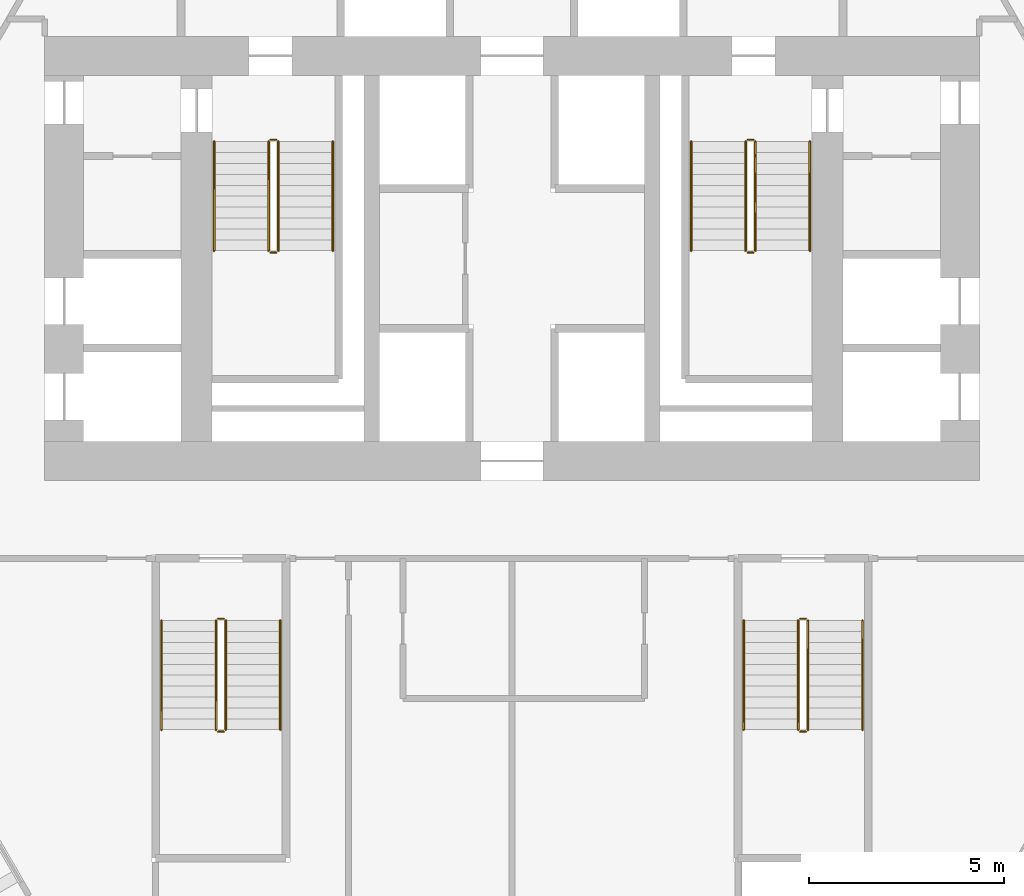
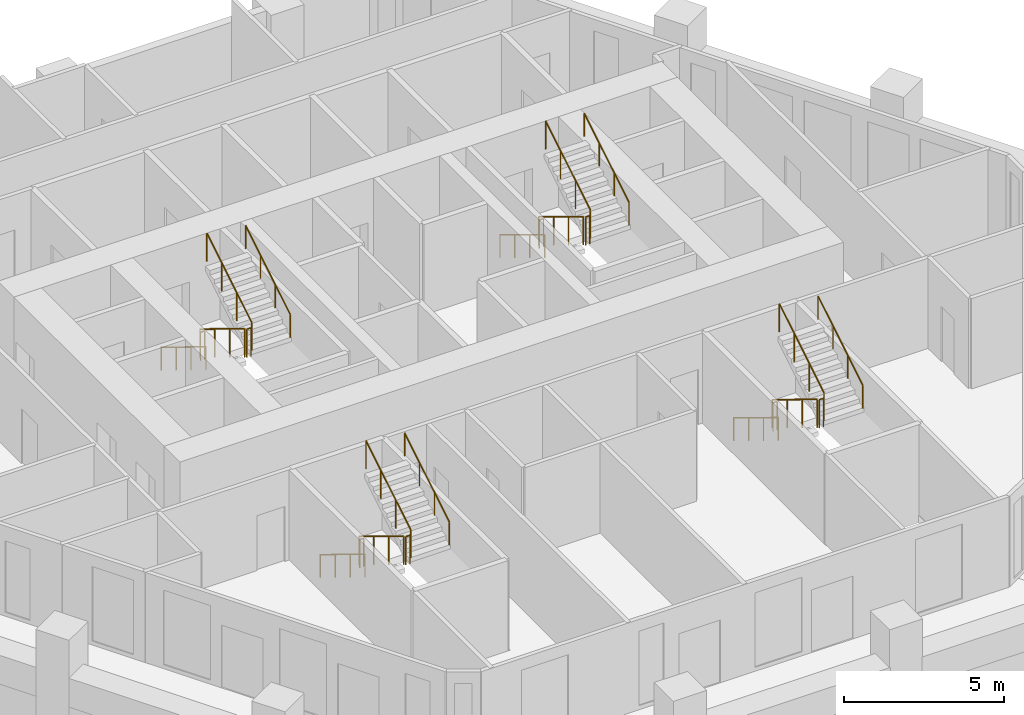
# One storey, part 7 of 7: 24 railings.
"""IFC4 building model written with IfcOpenShell, lengths in metres."""

from ifc_helpers import new_model, si_unit, direction, frame, origin, origin_2d, place, context, subcontext, project, spatial, circle, extrude, material, type_object, element, save


model = new_model("IFC4")

# Units and contexts
model_context = context("Model", 3, precision=1e-05, world=origin(), true_north=direction((0.0, 1.0)))
body_context = subcontext(model_context, "Body", "Model", "MODEL_VIEW")
ifc_project = project(units=[si_unit("LENGTHUNIT", "METRE"), si_unit("AREAUNIT", "SQUARE_METRE"), si_unit("VOLUMEUNIT", "CUBIC_METRE"), si_unit("PLANEANGLEUNIT", "RADIAN"), si_unit("MASSUNIT", "GRAM", prefix="KILO")], contexts=[model_context])

# Site, building, storey
site_placement = place(None, origin())
site = spatial("IfcSite", under=ifc_project, at=site_placement, CompositionType="ELEMENT")
building_placement = place(site_placement, origin())
building = spatial("IfcBuilding", under=site, at=building_placement, Name="Ostrander Bayou Hotel Tower", CompositionType="ELEMENT")
storey_placement = place(building_placement, frame((0.0, 0.0, 123.5)))
storey = spatial("IfcBuildingStorey", under=building, at=storey_placement, Name="L30", CompositionType="ELEMENT", Elevation=123.5)

# Railings
ifc_material_1 = material(Name="Steel ASTM A500 Gr C", Category="steel")
railing_type_1 = type_object("IfcRailingType", Name="GR1 stair guard 1100 mm steel", PredefinedType="GUARDRAIL", material=ifc_material_1)
railing_1_placement = place(storey_placement, frame((-6.25, 7.0, 0.17041015625)))
element("IfcRailing", 1, at=railing_1_placement, inside=storey, type_object=railing_type_1, Name="L30 STA stair guard 1", PredefinedType="GUARDRAIL", context=body_context, shape_type="SweptSolid", body=[
    extrude(circle(Radius=0.02392578125, at=origin_2d()), frame((0.0, 0.0, 1.076171875), z_axis=(0.0, -0.854169791009, 0.51999420009), x_axis=(1.0, 0.0, 0.0)), (0.0, 0.0, 1.0), 3.278076171875),
    extrude(circle(Radius=0.02099609375, at=origin_2d()), origin(), (0.0, 0.0, 1.0), 1.052001953125),
    extrude(circle(Radius=0.02099609375, at=origin_2d()), frame((0.0, -0.933349609375, 0.568115234375)), (0.0, 0.0, 1.0), 1.052001953125),
    extrude(circle(Radius=0.02099609375, at=origin_2d()), frame((0.0, -1.86669921875, 1.136474609375)), (0.0, 0.0, 1.0), 1.052001953125),
    extrude(circle(Radius=0.02099609375, at=origin_2d()), frame((0.0, -2.800048828125, 1.70458984375)), (0.0, 0.0, 1.0), 1.052001953125),
])
railing_2_placement = place(storey_placement, frame((-6.199951171875, 4.14990234375, 1.875)))
element("IfcRailing", 2, at=railing_2_placement, inside=storey, type_object=railing_type_1, Name="L30 STA stair guard 2", PredefinedType="GUARDRAIL", context=body_context, shape_type="SweptSolid", body=[
    extrude(circle(Radius=0.02392578125, at=origin_2d()), frame((0.0, 0.0, 1.076171875), z_axis=(1.0, 0.0, 0.0), x_axis=(0.0, 1.0, 0.0)), (0.0, 0.0, 1.0), 0.14990234375),
    extrude(circle(Radius=0.02099609375, at=origin_2d()), origin(), (0.0, 0.0, 1.0), 1.052001953125),
    extrude(circle(Radius=0.02099609375, at=origin_2d()), frame((0.14990234375, 0.0, 0.0)), (0.0, 0.0, 1.0), 1.052001953125),
])
railing_3_placement = place(storey_placement, frame((-6.0, 4.199951171875, 2.04541015625)))
element("IfcRailing", 3, at=railing_3_placement, inside=storey, type_object=railing_type_1, Name="L30 STA stair guard 3", PredefinedType="GUARDRAIL", context=body_context, shape_type="SweptSolid", body=[
    extrude(circle(Radius=0.02392578125, at=origin_2d()), frame((0.0, 0.0, 1.076171875), z_axis=(0.0, 0.854169791009, 0.51999420009), x_axis=(-1.0, 0.0, 0.0)), (0.0, 0.0, 1.0), 3.278076171875),
    extrude(circle(Radius=0.02099609375, at=origin_2d()), origin(), (0.0, 0.0, 1.0), 1.052001953125),
    extrude(circle(Radius=0.02099609375, at=origin_2d()), frame((0.0, 0.933349609375, 0.568115234375)), (0.0, 0.0, 1.0), 1.052001953125),
    extrude(circle(Radius=0.02099609375, at=origin_2d()), frame((0.0, 1.86669921875, 1.136474609375)), (0.0, 0.0, 1.0), 1.052001953125),
    extrude(circle(Radius=0.02099609375, at=origin_2d()), frame((0.0, 2.800048828125, 1.70458984375)), (0.0, 0.0, 1.0), 1.052001953125),
])
railing_4_placement = place(storey_placement, frame((-6.199951171875, 7.050048828125, 0.0)))
element("IfcRailing", 4, at=railing_4_placement, inside=storey, type_object=railing_type_1, Name="L30 STA stair guard 4", PredefinedType="GUARDRAIL", context=body_context, shape_type="SweptSolid", body=[
    extrude(circle(Radius=0.02392578125, at=origin_2d()), frame((0.0, 0.0, 1.076171875), z_axis=(1.0, 0.0, 0.0), x_axis=(0.0, 1.0, 0.0)), (0.0, 0.0, 1.0), 0.14990234375),
    extrude(circle(Radius=0.02099609375, at=origin_2d()), origin(), (0.0, 0.0, 1.0), 1.052001953125),
    extrude(circle(Radius=0.02099609375, at=origin_2d()), frame((0.14990234375, 0.0, 0.0)), (0.0, 0.0, 1.0), 1.052001953125),
])
railing_5_placement = place(storey_placement, frame((6.0, 7.0, 0.17041015625)))
element("IfcRailing", 5, at=railing_5_placement, inside=storey, type_object=railing_type_1, Name="L30 STB stair guard 1", PredefinedType="GUARDRAIL", context=body_context, shape_type="SweptSolid", body=[
    extrude(circle(Radius=0.02392578125, at=origin_2d()), frame((0.0, 0.0, 1.076171875), z_axis=(0.0, -0.854169791009, 0.51999420009), x_axis=(1.0, 0.0, 0.0)), (0.0, 0.0, 1.0), 3.278076171875),
    extrude(circle(Radius=0.02099609375, at=origin_2d()), origin(), (0.0, 0.0, 1.0), 1.052001953125),
    extrude(circle(Radius=0.02099609375, at=origin_2d()), frame((0.0, -0.933349609375, 0.568115234375)), (0.0, 0.0, 1.0), 1.052001953125),
    extrude(circle(Radius=0.02099609375, at=origin_2d()), frame((0.0, -1.86669921875, 1.136474609375)), (0.0, 0.0, 1.0), 1.052001953125),
    extrude(circle(Radius=0.02099609375, at=origin_2d()), frame((0.0, -2.800048828125, 1.70458984375)), (0.0, 0.0, 1.0), 1.052001953125),
])
railing_6_placement = place(storey_placement, frame((6.050048828125, 4.14990234375, 1.875)))
element("IfcRailing", 6, at=railing_6_placement, inside=storey, type_object=railing_type_1, Name="L30 STB stair guard 2", PredefinedType="GUARDRAIL", context=body_context, shape_type="SweptSolid", body=[
    extrude(circle(Radius=0.02392578125, at=origin_2d()), frame((0.0, 0.0, 1.076171875), z_axis=(1.0, 0.0, 0.0), x_axis=(0.0, 1.0, 0.0)), (0.0, 0.0, 1.0), 0.14990234375),
    extrude(circle(Radius=0.02099609375, at=origin_2d()), origin(), (0.0, 0.0, 1.0), 1.052001953125),
    extrude(circle(Radius=0.02099609375, at=origin_2d()), frame((0.14990234375, 0.0, 0.0)), (0.0, 0.0, 1.0), 1.052001953125),
])
railing_7_placement = place(storey_placement, frame((6.25, 4.199951171875, 2.04541015625)))
element("IfcRailing", 7, at=railing_7_placement, inside=storey, type_object=railing_type_1, Name="L30 STB stair guard 3", PredefinedType="GUARDRAIL", context=body_context, shape_type="SweptSolid", body=[
    extrude(circle(Radius=0.02392578125, at=origin_2d()), frame((0.0, 0.0, 1.076171875), z_axis=(0.0, 0.854169791009, 0.51999420009), x_axis=(-1.0, 0.0, 0.0)), (0.0, 0.0, 1.0), 3.278076171875),
    extrude(circle(Radius=0.02099609375, at=origin_2d()), origin(), (0.0, 0.0, 1.0), 1.052001953125),
    extrude(circle(Radius=0.02099609375, at=origin_2d()), frame((0.0, 0.933349609375, 0.568115234375)), (0.0, 0.0, 1.0), 1.052001953125),
    extrude(circle(Radius=0.02099609375, at=origin_2d()), frame((0.0, 1.86669921875, 1.136474609375)), (0.0, 0.0, 1.0), 1.052001953125),
    extrude(circle(Radius=0.02099609375, at=origin_2d()), frame((0.0, 2.800048828125, 1.70458984375)), (0.0, 0.0, 1.0), 1.052001953125),
])
railing_8_placement = place(storey_placement, frame((6.050048828125, 7.050048828125, 0.0)))
element("IfcRailing", 8, at=railing_8_placement, inside=storey, type_object=railing_type_1, Name="L30 STB stair guard 4", PredefinedType="GUARDRAIL", context=body_context, shape_type="SweptSolid", body=[
    extrude(circle(Radius=0.02392578125, at=origin_2d()), frame((0.0, 0.0, 1.076171875), z_axis=(1.0, 0.0, 0.0), x_axis=(0.0, 1.0, 0.0)), (0.0, 0.0, 1.0), 0.14990234375),
    extrude(circle(Radius=0.02099609375, at=origin_2d()), origin(), (0.0, 0.0, 1.0), 1.052001953125),
    extrude(circle(Radius=0.02099609375, at=origin_2d()), frame((0.14990234375, 0.0, 0.0)), (0.0, 0.0, 1.0), 1.052001953125),
])
railing_9_placement = place(storey_placement, frame((7.35009765625, -5.300048828125, 0.17041015625)))
element("IfcRailing", 9, at=railing_9_placement, inside=storey, type_object=railing_type_1, Name="L30 STC stair guard 1", PredefinedType="GUARDRAIL", context=body_context, shape_type="SweptSolid", body=[
    extrude(circle(Radius=0.02392578125, at=origin_2d()), frame((0.0, 0.0, 1.076171875), z_axis=(0.0, -0.854169791009, 0.51999420009), x_axis=(1.0, 0.0, 0.0)), (0.0, 0.0, 1.0), 3.278076171875),
    extrude(circle(Radius=0.02099609375, at=origin_2d()), origin(), (0.0, 0.0, 1.0), 1.052001953125),
    extrude(circle(Radius=0.02099609375, at=origin_2d()), frame((0.0, -0.933349609375, 0.568115234375)), (0.0, 0.0, 1.0), 1.052001953125),
    extrude(circle(Radius=0.02099609375, at=origin_2d()), frame((0.0, -1.86669921875, 1.136474609375)), (0.0, 0.0, 1.0), 1.052001953125),
    extrude(circle(Radius=0.02099609375, at=origin_2d()), frame((0.0, -2.800048828125, 1.70458984375)), (0.0, 0.0, 1.0), 1.052001953125),
])
railing_10_placement = place(storey_placement, frame((7.39990234375, -8.14990234375, 1.875)))
element("IfcRailing", 10, at=railing_10_placement, inside=storey, type_object=railing_type_1, Name="L30 STC stair guard 2", PredefinedType="GUARDRAIL", context=body_context, shape_type="SweptSolid", body=[
    extrude(circle(Radius=0.02392578125, at=origin_2d()), frame((0.0, 0.0, 1.076171875), z_axis=(1.0, 0.0, 0.0), x_axis=(0.0, 1.0, 0.0)), (0.0, 0.0, 1.0), 0.150146484375),
    extrude(circle(Radius=0.02099609375, at=origin_2d()), origin(), (0.0, 0.0, 1.0), 1.052001953125),
    extrude(circle(Radius=0.02099609375, at=origin_2d()), frame((0.150146484375, 0.0, 0.0)), (0.0, 0.0, 1.0), 1.052001953125),
])
railing_11_placement = place(storey_placement, frame((7.60009765625, -8.10009765625, 2.04541015625)))
element("IfcRailing", 11, at=railing_11_placement, inside=storey, type_object=railing_type_1, Name="L30 STC stair guard 3", PredefinedType="GUARDRAIL", context=body_context, shape_type="SweptSolid", body=[
    extrude(circle(Radius=0.02392578125, at=origin_2d()), frame((0.0, 0.0, 1.076171875), z_axis=(0.0, 0.854169791009, 0.51999420009), x_axis=(-1.0, 0.0, 0.0)), (0.0, 0.0, 1.0), 3.278076171875),
    extrude(circle(Radius=0.02099609375, at=origin_2d()), origin(), (0.0, 0.0, 1.0), 1.052001953125),
    extrude(circle(Radius=0.02099609375, at=origin_2d()), frame((0.0, 0.933349609375, 0.568115234375)), (0.0, 0.0, 1.0), 1.052001953125),
    extrude(circle(Radius=0.02099609375, at=origin_2d()), frame((0.0, 1.86669921875, 1.136474609375)), (0.0, 0.0, 1.0), 1.052001953125),
    extrude(circle(Radius=0.02099609375, at=origin_2d()), frame((0.0, 2.800048828125, 1.70458984375)), (0.0, 0.0, 1.0), 1.052001953125),
])
railing_12_placement = place(storey_placement, frame((7.39990234375, -5.25, 0.0)))
element("IfcRailing", 12, at=railing_12_placement, inside=storey, type_object=railing_type_1, Name="L30 STC stair guard 4", PredefinedType="GUARDRAIL", context=body_context, shape_type="SweptSolid", body=[
    extrude(circle(Radius=0.02392578125, at=origin_2d()), frame((0.0, 0.0, 1.076171875), z_axis=(1.0, 0.0, 0.0), x_axis=(0.0, 1.0, 0.0)), (0.0, 0.0, 1.0), 0.150146484375),
    extrude(circle(Radius=0.02099609375, at=origin_2d()), origin(), (0.0, 0.0, 1.0), 1.052001953125),
    extrude(circle(Radius=0.02099609375, at=origin_2d()), frame((0.150146484375, 0.0, 0.0)), (0.0, 0.0, 1.0), 1.052001953125),
])
railing_13_placement = place(storey_placement, frame((-7.60009765625, -5.300048828125, 0.17041015625)))
element("IfcRailing", 13, at=railing_13_placement, inside=storey, type_object=railing_type_1, Name="L30 STD stair guard 1", PredefinedType="GUARDRAIL", context=body_context, shape_type="SweptSolid", body=[
    extrude(circle(Radius=0.02392578125, at=origin_2d()), frame((0.0, 0.0, 1.076171875), z_axis=(0.0, -0.854169791009, 0.51999420009), x_axis=(1.0, 0.0, 0.0)), (0.0, 0.0, 1.0), 3.278076171875),
    extrude(circle(Radius=0.02099609375, at=origin_2d()), origin(), (0.0, 0.0, 1.0), 1.052001953125),
    extrude(circle(Radius=0.02099609375, at=origin_2d()), frame((0.0, -0.933349609375, 0.568115234375)), (0.0, 0.0, 1.0), 1.052001953125),
    extrude(circle(Radius=0.02099609375, at=origin_2d()), frame((0.0, -1.86669921875, 1.136474609375)), (0.0, 0.0, 1.0), 1.052001953125),
    extrude(circle(Radius=0.02099609375, at=origin_2d()), frame((0.0, -2.800048828125, 1.70458984375)), (0.0, 0.0, 1.0), 1.052001953125),
])
railing_14_placement = place(storey_placement, frame((-7.550048828125, -8.14990234375, 1.875)))
element("IfcRailing", 14, at=railing_14_placement, inside=storey, type_object=railing_type_1, Name="L30 STD stair guard 2", PredefinedType="GUARDRAIL", context=body_context, shape_type="SweptSolid", body=[
    extrude(circle(Radius=0.02392578125, at=origin_2d()), frame((0.0, 0.0, 1.076171875), z_axis=(1.0, 0.0, 0.0), x_axis=(0.0, 1.0, 0.0)), (0.0, 0.0, 1.0), 0.150146484375),
    extrude(circle(Radius=0.02099609375, at=origin_2d()), origin(), (0.0, 0.0, 1.0), 1.052001953125),
    extrude(circle(Radius=0.02099609375, at=origin_2d()), frame((0.150146484375, 0.0, 0.0)), (0.0, 0.0, 1.0), 1.052001953125),
])
railing_15_placement = place(storey_placement, frame((-7.35009765625, -8.10009765625, 2.04541015625)))
element("IfcRailing", 15, at=railing_15_placement, inside=storey, type_object=railing_type_1, Name="L30 STD stair guard 3", PredefinedType="GUARDRAIL", context=body_context, shape_type="SweptSolid", body=[
    extrude(circle(Radius=0.02392578125, at=origin_2d()), frame((0.0, 0.0, 1.076171875), z_axis=(0.0, 0.854169791009, 0.51999420009), x_axis=(-1.0, 0.0, 0.0)), (0.0, 0.0, 1.0), 3.278076171875),
    extrude(circle(Radius=0.02099609375, at=origin_2d()), origin(), (0.0, 0.0, 1.0), 1.052001953125),
    extrude(circle(Radius=0.02099609375, at=origin_2d()), frame((0.0, 0.933349609375, 0.568115234375)), (0.0, 0.0, 1.0), 1.052001953125),
    extrude(circle(Radius=0.02099609375, at=origin_2d()), frame((0.0, 1.86669921875, 1.136474609375)), (0.0, 0.0, 1.0), 1.052001953125),
    extrude(circle(Radius=0.02099609375, at=origin_2d()), frame((0.0, 2.800048828125, 1.70458984375)), (0.0, 0.0, 1.0), 1.052001953125),
])
railing_16_placement = place(storey_placement, frame((-7.550048828125, -5.25, 0.0)))
element("IfcRailing", 16, at=railing_16_placement, inside=storey, type_object=railing_type_1, Name="L30 STD stair guard 4", PredefinedType="GUARDRAIL", context=body_context, shape_type="SweptSolid", body=[
    extrude(circle(Radius=0.02392578125, at=origin_2d()), frame((0.0, 0.0, 1.076171875), z_axis=(1.0, 0.0, 0.0), x_axis=(0.0, 1.0, 0.0)), (0.0, 0.0, 1.0), 0.150146484375),
    extrude(circle(Radius=0.02099609375, at=origin_2d()), origin(), (0.0, 0.0, 1.0), 1.052001953125),
    extrude(circle(Radius=0.02099609375, at=origin_2d()), frame((0.150146484375, 0.0, 0.0)), (0.0, 0.0, 1.0), 1.052001953125),
])
ifc_material_2 = material(Name="Steel ASTM A500 Gr C", Category="steel")
railing_type_2 = type_object("IfcRailingType", Name="HR1 stair handrail 900 mm steel", PredefinedType="HANDRAIL", material=ifc_material_2)
railing_17_placement = place(storey_placement, frame((-7.64990234375, 7.0, 0.17041015625)))
element("IfcRailing", 17, at=railing_17_placement, inside=storey, type_object=railing_type_2, Name="L30 STA stair handrail 1", PredefinedType="HANDRAIL", context=body_context, shape_type="SweptSolid", body=[
    extrude(circle(Radius=0.02392578125, at=origin_2d()), frame((0.0, 0.0, 0.8759765625), z_axis=(0.0, -0.854169791009, 0.51999420009), x_axis=(1.0, 0.0, 0.0)), (0.0, 0.0, 1.0), 3.278076171875),
    extrude(circle(Radius=0.02099609375, at=origin_2d()), origin(), (0.0, 0.0, 1.0), 0.851806640625),
    extrude(circle(Radius=0.02099609375, at=origin_2d()), frame((0.0, -0.933349609375, 0.568115234375)), (0.0, 0.0, 1.0), 0.851806640625),
    extrude(circle(Radius=0.02099609375, at=origin_2d()), frame((0.0, -1.86669921875, 1.136474609375)), (0.0, 0.0, 1.0), 0.851806640625),
    extrude(circle(Radius=0.02099609375, at=origin_2d()), frame((0.0, -2.800048828125, 1.70458984375)), (0.0, 0.0, 1.0), 0.851806640625),
])
railing_18_placement = place(storey_placement, frame((-4.60009765625, 4.199951171875, 2.04541015625)))
element("IfcRailing", 18, at=railing_18_placement, inside=storey, type_object=railing_type_2, Name="L30 STA stair handrail 2", PredefinedType="HANDRAIL", context=body_context, shape_type="SweptSolid", body=[
    extrude(circle(Radius=0.02392578125, at=origin_2d()), frame((0.0, 0.0, 0.8759765625), z_axis=(0.0, 0.854169791009, 0.51999420009), x_axis=(-1.0, 0.0, 0.0)), (0.0, 0.0, 1.0), 3.278076171875),
    extrude(circle(Radius=0.02099609375, at=origin_2d()), origin(), (0.0, 0.0, 1.0), 0.851806640625),
    extrude(circle(Radius=0.02099609375, at=origin_2d()), frame((0.0, 0.933349609375, 0.568115234375)), (0.0, 0.0, 1.0), 0.851806640625),
    extrude(circle(Radius=0.02099609375, at=origin_2d()), frame((0.0, 1.86669921875, 1.136474609375)), (0.0, 0.0, 1.0), 0.851806640625),
    extrude(circle(Radius=0.02099609375, at=origin_2d()), frame((0.0, 2.800048828125, 1.70458984375)), (0.0, 0.0, 1.0), 0.851806640625),
])
railing_19_placement = place(storey_placement, frame((4.60009765625, 7.0, 0.17041015625)))
element("IfcRailing", 19, at=railing_19_placement, inside=storey, type_object=railing_type_2, Name="L30 STB stair handrail 1", PredefinedType="HANDRAIL", context=body_context, shape_type="SweptSolid", body=[
    extrude(circle(Radius=0.02392578125, at=origin_2d()), frame((0.0, 0.0, 0.8759765625), z_axis=(0.0, -0.854169791009, 0.51999420009), x_axis=(1.0, 0.0, 0.0)), (0.0, 0.0, 1.0), 3.278076171875),
    extrude(circle(Radius=0.02099609375, at=origin_2d()), origin(), (0.0, 0.0, 1.0), 0.851806640625),
    extrude(circle(Radius=0.02099609375, at=origin_2d()), frame((0.0, -0.933349609375, 0.568115234375)), (0.0, 0.0, 1.0), 0.851806640625),
    extrude(circle(Radius=0.02099609375, at=origin_2d()), frame((0.0, -1.86669921875, 1.136474609375)), (0.0, 0.0, 1.0), 0.851806640625),
    extrude(circle(Radius=0.02099609375, at=origin_2d()), frame((0.0, -2.800048828125, 1.70458984375)), (0.0, 0.0, 1.0), 0.851806640625),
])
railing_20_placement = place(storey_placement, frame((7.64990234375, 4.199951171875, 2.04541015625)))
element("IfcRailing", 20, at=railing_20_placement, inside=storey, type_object=railing_type_2, Name="L30 STB stair handrail 2", PredefinedType="HANDRAIL", context=body_context, shape_type="SweptSolid", body=[
    extrude(circle(Radius=0.02392578125, at=origin_2d()), frame((0.0, 0.0, 0.8759765625), z_axis=(0.0, 0.854169791009, 0.51999420009), x_axis=(-1.0, 0.0, 0.0)), (0.0, 0.0, 1.0), 3.278076171875),
    extrude(circle(Radius=0.02099609375, at=origin_2d()), origin(), (0.0, 0.0, 1.0), 0.851806640625),
    extrude(circle(Radius=0.02099609375, at=origin_2d()), frame((0.0, 0.933349609375, 0.568115234375)), (0.0, 0.0, 1.0), 0.851806640625),
    extrude(circle(Radius=0.02099609375, at=origin_2d()), frame((0.0, 1.86669921875, 1.136474609375)), (0.0, 0.0, 1.0), 0.851806640625),
    extrude(circle(Radius=0.02099609375, at=origin_2d()), frame((0.0, 2.800048828125, 1.70458984375)), (0.0, 0.0, 1.0), 0.851806640625),
])
railing_21_placement = place(storey_placement, frame((5.949951171875, -5.300048828125, 0.17041015625)))
element("IfcRailing", 21, at=railing_21_placement, inside=storey, type_object=railing_type_2, Name="L30 STC stair handrail 1", PredefinedType="HANDRAIL", context=body_context, shape_type="SweptSolid", body=[
    extrude(circle(Radius=0.02392578125, at=origin_2d()), frame((0.0, 0.0, 0.8759765625), z_axis=(0.0, -0.854169791009, 0.51999420009), x_axis=(1.0, 0.0, 0.0)), (0.0, 0.0, 1.0), 3.278076171875),
    extrude(circle(Radius=0.02099609375, at=origin_2d()), origin(), (0.0, 0.0, 1.0), 0.851806640625),
    extrude(circle(Radius=0.02099609375, at=origin_2d()), frame((0.0, -0.933349609375, 0.568115234375)), (0.0, 0.0, 1.0), 0.851806640625),
    extrude(circle(Radius=0.02099609375, at=origin_2d()), frame((0.0, -1.86669921875, 1.136474609375)), (0.0, 0.0, 1.0), 0.851806640625),
    extrude(circle(Radius=0.02099609375, at=origin_2d()), frame((0.0, -2.800048828125, 1.70458984375)), (0.0, 0.0, 1.0), 0.851806640625),
])
railing_22_placement = place(storey_placement, frame((9.0, -8.10009765625, 2.04541015625)))
element("IfcRailing", 22, at=railing_22_placement, inside=storey, type_object=railing_type_2, Name="L30 STC stair handrail 2", PredefinedType="HANDRAIL", context=body_context, shape_type="SweptSolid", body=[
    extrude(circle(Radius=0.02392578125, at=origin_2d()), frame((0.0, 0.0, 0.8759765625), z_axis=(0.0, 0.854169791009, 0.51999420009), x_axis=(-1.0, 0.0, 0.0)), (0.0, 0.0, 1.0), 3.278076171875),
    extrude(circle(Radius=0.02099609375, at=origin_2d()), origin(), (0.0, 0.0, 1.0), 0.851806640625),
    extrude(circle(Radius=0.02099609375, at=origin_2d()), frame((0.0, 0.933349609375, 0.568115234375)), (0.0, 0.0, 1.0), 0.851806640625),
    extrude(circle(Radius=0.02099609375, at=origin_2d()), frame((0.0, 1.86669921875, 1.136474609375)), (0.0, 0.0, 1.0), 0.851806640625),
    extrude(circle(Radius=0.02099609375, at=origin_2d()), frame((0.0, 2.800048828125, 1.70458984375)), (0.0, 0.0, 1.0), 0.851806640625),
])
railing_23_placement = place(storey_placement, frame((-9.0, -5.300048828125, 0.17041015625)))
element("IfcRailing", 23, at=railing_23_placement, inside=storey, type_object=railing_type_2, Name="L30 STD stair handrail 1", PredefinedType="HANDRAIL", context=body_context, shape_type="SweptSolid", body=[
    extrude(circle(Radius=0.02392578125, at=origin_2d()), frame((0.0, 0.0, 0.8759765625), z_axis=(0.0, -0.854169791009, 0.51999420009), x_axis=(1.0, 0.0, 0.0)), (0.0, 0.0, 1.0), 3.278076171875),
    extrude(circle(Radius=0.02099609375, at=origin_2d()), origin(), (0.0, 0.0, 1.0), 0.851806640625),
    extrude(circle(Radius=0.02099609375, at=origin_2d()), frame((0.0, -0.933349609375, 0.568115234375)), (0.0, 0.0, 1.0), 0.851806640625),
    extrude(circle(Radius=0.02099609375, at=origin_2d()), frame((0.0, -1.86669921875, 1.136474609375)), (0.0, 0.0, 1.0), 0.851806640625),
    extrude(circle(Radius=0.02099609375, at=origin_2d()), frame((0.0, -2.800048828125, 1.70458984375)), (0.0, 0.0, 1.0), 0.851806640625),
])
railing_24_placement = place(storey_placement, frame((-5.949951171875, -8.10009765625, 2.04541015625)))
element("IfcRailing", 24, at=railing_24_placement, inside=storey, type_object=railing_type_2, Name="L30 STD stair handrail 2", PredefinedType="HANDRAIL", context=body_context, shape_type="SweptSolid", body=[
    extrude(circle(Radius=0.02392578125, at=origin_2d()), frame((0.0, 0.0, 0.8759765625), z_axis=(0.0, 0.854169791009, 0.51999420009), x_axis=(-1.0, 0.0, 0.0)), (0.0, 0.0, 1.0), 3.278076171875),
    extrude(circle(Radius=0.02099609375, at=origin_2d()), origin(), (0.0, 0.0, 1.0), 0.851806640625),
    extrude(circle(Radius=0.02099609375, at=origin_2d()), frame((0.0, 0.933349609375, 0.568115234375)), (0.0, 0.0, 1.0), 0.851806640625),
    extrude(circle(Radius=0.02099609375, at=origin_2d()), frame((0.0, 1.86669921875, 1.136474609375)), (0.0, 0.0, 1.0), 0.851806640625),
    extrude(circle(Radius=0.02099609375, at=origin_2d()), frame((0.0, 2.800048828125, 1.70458984375)), (0.0, 0.0, 1.0), 0.851806640625),
])

save(model, "model.ifc")
